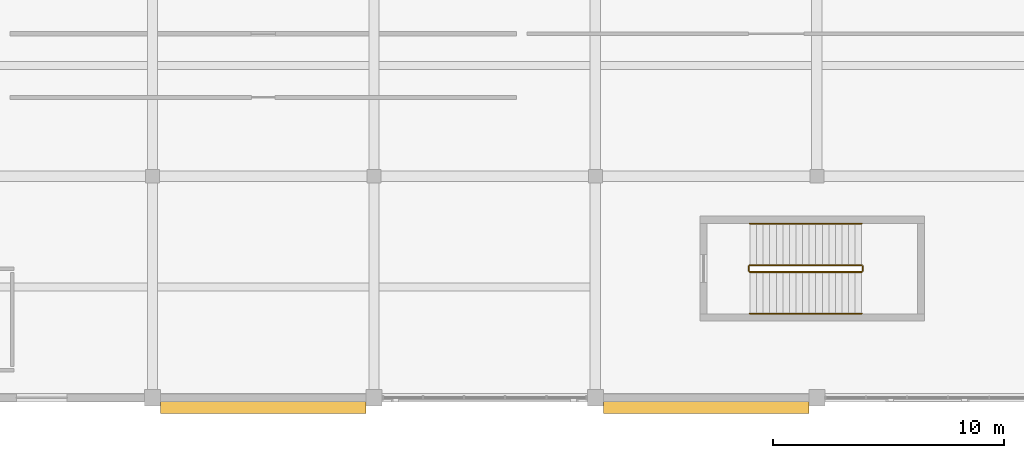
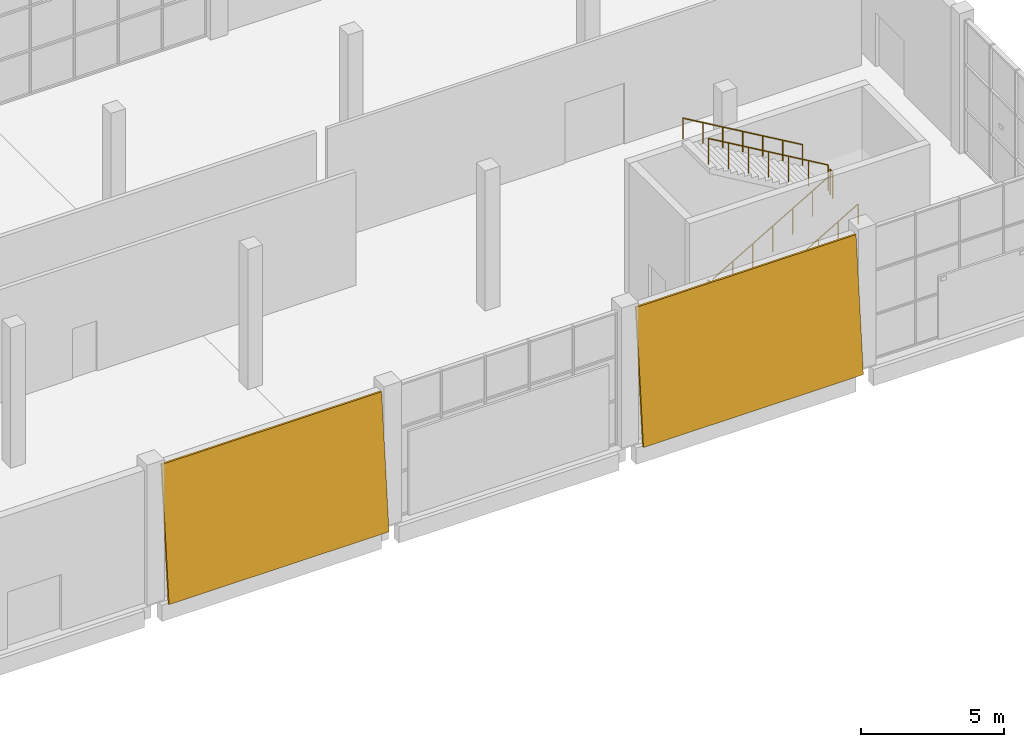
# One storey, part 70 of 84: 6 railings, 2 coverings.
"""IFC4 building model written with IfcOpenShell, lengths in metres."""

from ifc_helpers import new_model, si_unit, direction, frame, origin, origin_2d, place, context, subcontext, project, spatial, polyline, circle, outline, extrude, material, layer, layer_set, type_object, element, save


model = new_model("IFC4")

# Units and contexts
model_context = context("Model", 3, precision=1e-05, world=origin(), true_north=direction((0.0, 1.0)))
body_context = subcontext(model_context, "Body", "Model", "MODEL_VIEW")
ifc_project = project(units=[si_unit("LENGTHUNIT", "METRE"), si_unit("AREAUNIT", "SQUARE_METRE"), si_unit("VOLUMEUNIT", "CUBIC_METRE"), si_unit("PLANEANGLEUNIT", "RADIAN"), si_unit("MASSUNIT", "GRAM", prefix="KILO")], contexts=[model_context])

# Site, building, storey
site_placement = place(None, origin())
site = spatial("IfcSite", under=ifc_project, at=site_placement, CompositionType="ELEMENT")
building_placement = place(site_placement, origin())
building = spatial("IfcBuilding", under=site, at=building_placement, Name="Shalvenor Court Art Gallery", CompositionType="ELEMENT")
storey_placement = place(building_placement, origin())
storey = spatial("IfcBuildingStorey", under=building, at=storey_placement, Name="L00", CompositionType="ELEMENT", Elevation=0.0)

# Coverings
ifc_material_1 = material(Name="Honed Jerusalem limestone cladding", Category="masonry")
ifc_layer = layer(ifc_material_1, 0.06494140625, Name="Honed Jerusalem limestone cladding")
ifc_layer_set = layer_set([ifc_layer], Name="Honed Jerusalem limestone cladding")
covering_type = type_object("IfcCoveringType", Name="CLD-02", PredefinedType="CLADDING", material=ifc_layer_set)
covering_1_placement = place(storey_placement, frame((48.35009765625, -0.68701171875, 0.0), z_axis=(0.0, 0.0, 1.0), x_axis=(1.0, 0.0, 0.0)))
element("IfcCovering", 1, at=covering_1_placement, inside=storey, type_object=covering_type, Name="L00 V4 Tapered Limestone Cladding 66", PredefinedType="CLADDING", context=body_context, shape_type="SweptSolid", body=[
    extrude(outline(polyline([(0.0, 0.0), (8.89990234375, 0.0), (8.89990234375, 5.703369140625), (0.0, 5.703369140625), (0.0, 0.0)])), frame((0.0, 0.0, 0.0), z_axis=(0.0, -0.995884398616, 0.090632580198), x_axis=(1.0, 0.0, 0.0)), (0.0, 0.090632580198, -0.995884398616), 0.080322265625),
])
covering_2_placement = place(storey_placement, frame((29.14990234375, -0.68701171875, 0.0), z_axis=(0.0, 0.0, 1.0), x_axis=(1.0, 0.0, 0.0)))
element("IfcCovering", 2, at=covering_2_placement, inside=storey, type_object=covering_type, Name="L00 V4 Tapered Limestone Cladding 67", PredefinedType="CLADDING", context=body_context, shape_type="SweptSolid", body=[
    extrude(outline(polyline([(0.0, 0.0), (8.900146484375, 0.0), (8.900146484375, 5.703369140625), (0.0, 5.703369140625), (0.0, 0.0)])), frame((0.0, 0.0, 0.0), z_axis=(0.0, -0.995884398616, 0.090632580198), x_axis=(1.0, 0.0, 0.0)), (0.0, 0.090632580198, -0.995884398616), 0.080322265625),
])

# Railings
ifc_material_2 = material(Name="Painted steel post-and-rail guard", Category="steel")
railing_type_1 = type_object("IfcRailingType", Name="GR-02", PredefinedType="GUARDRAIL", material=ifc_material_2)
railing_1_placement = place(storey_placement, frame((54.699951171875, 5.449951171875, 0.166748046875)))
element("IfcRailing", 3, at=railing_1_placement, inside=storey, type_object=railing_type_1, Name="L00 ST-08 Stair Guard 1", PredefinedType="GUARDRAIL", context=body_context, shape_type="SweptSolid", body=[
    extrude(circle(Radius=0.02392578125, at=origin_2d()), frame((0.0, 0.0, 1.09619140625), z_axis=(0.863234098208, 0.0, 0.504803815052), x_axis=(0.0, 1.0, 0.0)), (0.0, 0.0, 1.0), 5.612548828125),
    extrude(circle(Radius=0.02099609375, at=origin_2d()), origin(), (0.0, 0.0, 1.0), 1.072021484375),
    extrude(circle(Radius=0.02099609375, at=origin_2d()), frame((0.8076171875, 0.0, 0.47216796875)), (0.0, 0.0, 1.0), 1.072021484375),
    extrude(circle(Radius=0.02099609375, at=origin_2d()), frame((1.614990234375, 0.0, 0.9443359375)), (0.0, 0.0, 1.0), 1.072021484375),
    extrude(circle(Radius=0.02099609375, at=origin_2d()), frame((2.42236328125, 0.0, 1.41650390625)), (0.0, 0.0, 1.0), 1.072021484375),
    extrude(circle(Radius=0.02099609375, at=origin_2d()), frame((3.22998046875, 0.0, 1.888916015625)), (0.0, 0.0, 1.0), 1.072021484375),
    extrude(circle(Radius=0.02099609375, at=origin_2d()), frame((4.03759765625, 0.0, 2.361083984375)), (0.0, 0.0, 1.0), 1.072021484375),
    extrude(circle(Radius=0.02099609375, at=origin_2d()), frame((4.844970703125, 0.0, 2.833251953125)), (0.0, 0.0, 1.0), 1.072021484375),
])
railing_2_placement = place(storey_placement, frame((59.594970703125, 5.5, 3.0)))
element("IfcRailing", 4, at=railing_2_placement, inside=storey, type_object=railing_type_1, Name="L00 ST-08 Stair Guard 2", PredefinedType="GUARDRAIL", context=body_context, shape_type="SweptSolid", body=[
    extrude(circle(Radius=0.02392578125, at=origin_2d()), frame((0.0, 0.0, 1.09619140625), z_axis=(0.0, 1.0, 0.0), x_axis=(-1.0, 0.0, 0.0)), (0.0, 0.0, 1.0), 0.199951171875),
    extrude(circle(Radius=0.02099609375, at=origin_2d()), origin(), (0.0, 0.0, 1.0), 1.072021484375),
    extrude(circle(Radius=0.02099609375, at=origin_2d()), frame((0.0, 0.199951171875, 0.0)), (0.0, 0.0, 1.0), 1.072021484375),
])
railing_3_placement = place(storey_placement, frame((59.544921875, 5.75, 3.166748046875)))
element("IfcRailing", 5, at=railing_3_placement, inside=storey, type_object=railing_type_1, Name="L00 ST-08 Stair Guard 3", PredefinedType="GUARDRAIL", context=body_context, shape_type="SweptSolid", body=[
    extrude(circle(Radius=0.02392578125, at=origin_2d()), frame((0.0, 0.0, 1.09619140625), z_axis=(-0.863234098208, 0.0, 0.504803815052), x_axis=(0.0, -1.0, 0.0)), (0.0, 0.0, 1.0), 5.612548828125),
    extrude(circle(Radius=0.02099609375, at=origin_2d()), origin(), (0.0, 0.0, 1.0), 1.072021484375),
    extrude(circle(Radius=0.02099609375, at=origin_2d()), frame((-0.8076171875, 0.0, 0.47216796875)), (0.0, 0.0, 1.0), 1.072021484375),
    extrude(circle(Radius=0.02099609375, at=origin_2d()), frame((-1.614990234375, 0.0, 0.9443359375)), (0.0, 0.0, 1.0), 1.072021484375),
    extrude(circle(Radius=0.02099609375, at=origin_2d()), frame((-2.42236328125, 0.0, 1.41650390625)), (0.0, 0.0, 1.0), 1.072021484375),
    extrude(circle(Radius=0.02099609375, at=origin_2d()), frame((-3.22998046875, 0.0, 1.888916015625)), (0.0, 0.0, 1.0), 1.072021484375),
    extrude(circle(Radius=0.02099609375, at=origin_2d()), frame((-4.03759765625, 0.0, 2.361083984375)), (0.0, 0.0, 1.0), 1.072021484375),
    extrude(circle(Radius=0.02099609375, at=origin_2d()), frame((-4.844970703125, 0.0, 2.833251953125)), (0.0, 0.0, 1.0), 1.072021484375),
])
railing_4_placement = place(storey_placement, frame((54.64990234375, 5.5, 0.0)))
element("IfcRailing", 6, at=railing_4_placement, inside=storey, type_object=railing_type_1, Name="L00 ST-08 Stair Guard 4", PredefinedType="GUARDRAIL", context=body_context, shape_type="SweptSolid", body=[
    extrude(circle(Radius=0.02392578125, at=origin_2d()), frame((0.0, 0.0, 1.09619140625), z_axis=(0.0, 1.0, 0.0), x_axis=(-1.0, 0.0, 0.0)), (0.0, 0.0, 1.0), 0.199951171875),
    extrude(circle(Radius=0.02099609375, at=origin_2d()), origin(), (0.0, 0.0, 1.0), 1.072021484375),
    extrude(circle(Radius=0.02099609375, at=origin_2d()), frame((0.0, 0.199951171875, 0.0)), (0.0, 0.0, 1.0), 1.072021484375),
])
ifc_material_3 = material(Name="Brushed stainless steel handrail", Category="steel")
railing_type_2 = type_object("IfcRailingType", Name="HR-01", PredefinedType="HANDRAIL", material=ifc_material_3)
railing_5_placement = place(storey_placement, frame((54.699951171875, 3.64990234375, 0.166748046875)))
element("IfcRailing", 7, at=railing_5_placement, inside=storey, type_object=railing_type_2, Name="L00 ST-08 Stair Handrail 1", PredefinedType="HANDRAIL", context=body_context, shape_type="SweptSolid", body=[
    extrude(circle(Radius=0.02392578125, at=origin_2d()), frame((0.0, 0.0, 0.8759765625), z_axis=(0.863234098208, 0.0, 0.504803815052), x_axis=(0.0, 1.0, 0.0)), (0.0, 0.0, 1.0), 5.612548828125),
    extrude(circle(Radius=0.02099609375, at=origin_2d()), origin(), (0.0, 0.0, 1.0), 0.851806640625),
    extrude(circle(Radius=0.02099609375, at=origin_2d()), frame((0.8076171875, 0.0, 0.47216796875)), (0.0, 0.0, 1.0), 0.851806640625),
    extrude(circle(Radius=0.02099609375, at=origin_2d()), frame((1.614990234375, 0.0, 0.9443359375)), (0.0, 0.0, 1.0), 0.851806640625),
    extrude(circle(Radius=0.02099609375, at=origin_2d()), frame((2.42236328125, 0.0, 1.41650390625)), (0.0, 0.0, 1.0), 0.851806640625),
    extrude(circle(Radius=0.02099609375, at=origin_2d()), frame((3.22998046875, 0.0, 1.888916015625)), (0.0, 0.0, 1.0), 0.851806640625),
    extrude(circle(Radius=0.02099609375, at=origin_2d()), frame((4.03759765625, 0.0, 2.361083984375)), (0.0, 0.0, 1.0), 0.851806640625),
    extrude(circle(Radius=0.02099609375, at=origin_2d()), frame((4.844970703125, 0.0, 2.833251953125)), (0.0, 0.0, 1.0), 0.851806640625),
])
railing_6_placement = place(storey_placement, frame((59.544921875, 7.550048828125, 3.166748046875)))
element("IfcRailing", 8, at=railing_6_placement, inside=storey, type_object=railing_type_2, Name="L00 ST-08 Stair Handrail 2", PredefinedType="HANDRAIL", context=body_context, shape_type="SweptSolid", body=[
    extrude(circle(Radius=0.02392578125, at=origin_2d()), frame((0.0, 0.0, 0.8759765625), z_axis=(-0.863234098208, 0.0, 0.504803815052), x_axis=(0.0, -1.0, 0.0)), (0.0, 0.0, 1.0), 5.612548828125),
    extrude(circle(Radius=0.02099609375, at=origin_2d()), origin(), (0.0, 0.0, 1.0), 0.851806640625),
    extrude(circle(Radius=0.02099609375, at=origin_2d()), frame((-0.8076171875, 0.0, 0.47216796875)), (0.0, 0.0, 1.0), 0.851806640625),
    extrude(circle(Radius=0.02099609375, at=origin_2d()), frame((-1.614990234375, 0.0, 0.9443359375)), (0.0, 0.0, 1.0), 0.851806640625),
    extrude(circle(Radius=0.02099609375, at=origin_2d()), frame((-2.42236328125, 0.0, 1.41650390625)), (0.0, 0.0, 1.0), 0.851806640625),
    extrude(circle(Radius=0.02099609375, at=origin_2d()), frame((-3.22998046875, 0.0, 1.888916015625)), (0.0, 0.0, 1.0), 0.851806640625),
    extrude(circle(Radius=0.02099609375, at=origin_2d()), frame((-4.03759765625, 0.0, 2.361083984375)), (0.0, 0.0, 1.0), 0.851806640625),
    extrude(circle(Radius=0.02099609375, at=origin_2d()), frame((-4.844970703125, 0.0, 2.833251953125)), (0.0, 0.0, 1.0), 0.851806640625),
])

save(model, "model.ifc")
